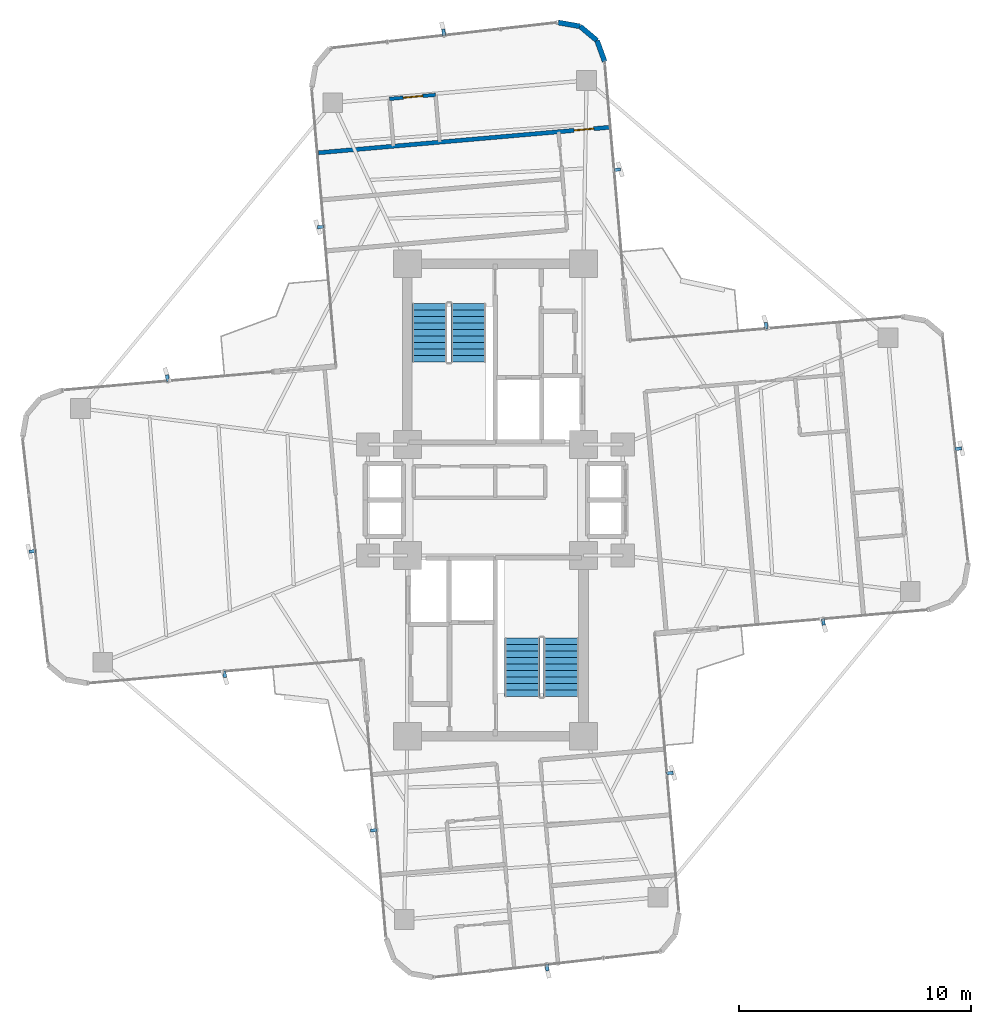
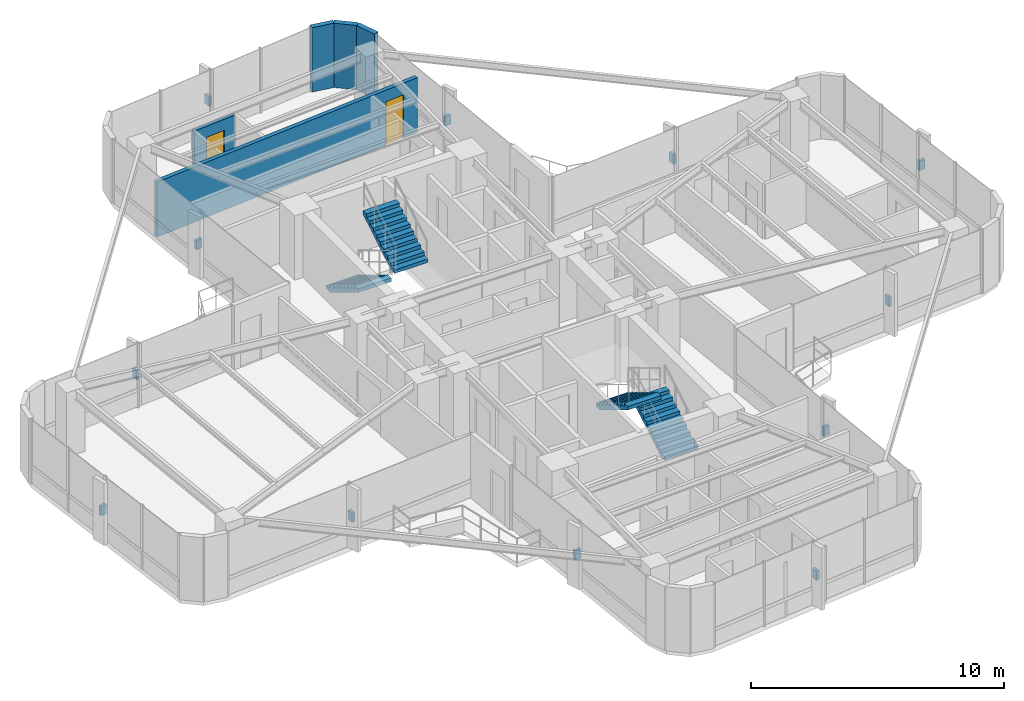
# One storey, part 23 of 24: 12 discrete accessories, 5 walls, 4 stair flights, 2 doors, 2 openings, 2 elements without a shape of their own.
"""IFC4 building model written with IfcOpenShell, lengths in metres."""

from ifc_helpers import new_model, si_unit, direction, frame, frame_2d, origin, origin_2d, place, context, subcontext, project, spatial, polyline, rectangle, outline, extrude, source, transform, mapped, material, layer, layer_set, type_object, element, fill, aggregate, save


model = new_model("IFC4")

# Units and contexts
model_context = context("Model", 3, precision=1e-05, world=origin(), true_north=direction((0.0, 1.0)))
body_context = subcontext(model_context, "Body", "Model", "MODEL_VIEW")
ifc_project = project(units=[si_unit("LENGTHUNIT", "METRE"), si_unit("AREAUNIT", "SQUARE_METRE"), si_unit("VOLUMEUNIT", "CUBIC_METRE"), si_unit("PLANEANGLEUNIT", "RADIAN"), si_unit("MASSUNIT", "GRAM", prefix="KILO")], contexts=[model_context])

# Site, building, storey
site_placement = place(None, origin())
site = spatial("IfcSite", under=ifc_project, at=site_placement, CompositionType="ELEMENT")
building_placement = place(site_placement, origin())
building = spatial("IfcBuilding", under=site, at=building_placement, Name="Sahyath Konkavel Grand Hotel", CompositionType="ELEMENT")
storey_placement = place(building_placement, frame((0.0, 0.0, 175.199951171875)))
storey = spatial("IfcBuildingStorey", under=building, at=storey_placement, Name="L48", CompositionType="ELEMENT", Elevation=175.199951171875)

# Walls
ifc_material_1 = material(Name="Warm Buff Sandstone Insulated Concrete C40/50", Category="masonry")
ifc_layer_1 = layer(ifc_material_1, 0.219970703125)
ifc_layer_set_1 = layer_set([ifc_layer_1], Name="Warm Buff Sandstone Insulated Concrete C40/50")
wall_type_1 = type_object("IfcWallType", Name="WLL-BALC-THRESH", PredefinedType="STANDARD", material=ifc_layer_set_1)
wall_1_placement = place(storey_placement, frame((4.7177734375, 18.93310546875, 0.0), z_axis=(0.0, 0.0, 1.0), x_axis=(-0.34188635151, 0.939741306239, 0.0)))
element("IfcWall", 1, at=wall_1_placement, inside=storey, type_object=wall_type_1, Name="L48 Rounded Corner Sandstone Pier 9", PredefinedType="STANDARD", context=body_context, shape_type="SweptSolid", body=[
    extrude(rectangle(XDim=0.95751953125, YDim=0.219970703125, at=frame_2d((0.478759765625, 0.0))), origin(), (0.0, 0.0, 1.0), 3.110107421875),
])
for number, where, z_axis, x_axis, name in (
    (2, (4.390380859375, 19.8330078125, 0.0), (0.0, 0.0, 1.0), (-0.765980978054, 0.642863236823, 0.0), "L48 Rounded Corner Sandstone Pier 10"),
    (3, (3.65673828125, 20.44873046875, 0.0), (0.0, 0.0, 1.0), (-0.984814340885, 0.173610811841, 0.0), "L48 Rounded Corner Sandstone Pier 11"),
):
    element("IfcWall", number, at=place(storey_placement, frame(where, z_axis=z_axis, x_axis=x_axis)), inside=storey, type_object=wall_type_1, Name=name, PredefinedType="STANDARD", context=body_context, shape_type="SweptSolid", body=[
        extrude(rectangle(XDim=0.957763671875, YDim=0.219970703125, at=frame_2d((0.47900390625, 0.0))), origin(), (0.0, 0.0, 1.0), 3.110107421875),
    ])

# Wall, opening, door
ifc_material_2 = material(Name="Twin-Stud Acoustic Gypsum Plasterboard Partition")
ifc_layer_2 = layer(ifc_material_2, 0.179931640625)
ifc_layer_set_2 = layer_set([ifc_layer_2], Name="Twin-Stud Acoustic Gypsum Plasterboard Partition")
wall_type_2 = type_object("IfcWallType", Name="WLL-DEMISE-180", PredefinedType="PARTITIONING", material=ifc_layer_set_2)
wall_2_placement = place(storey_placement, frame((4.91650390625, 16.089599609375, 0.0), z_axis=(0.0, 0.0, 1.0), x_axis=(-0.996196619285, -0.087133780622, 0.0)))
wall_2 = element("IfcWall", 4, at=wall_2_placement, inside=storey, type_object=wall_type_2, Name="L48 Partition N-NTIP-END", PredefinedType="PARTITIONING", context=body_context, shape_type="SweptSolid", body=[
    extrude(rectangle(XDim=12.60009765625, YDim=0.179931640625, at=frame_2d((6.300048828125, 0.0))), origin(), (0.0, 0.0, 1.0), 2.66015625),
])
opening_1_placement = place(wall_2_placement, frame((0.675048828125, 0.0, 0.0)))
opening_1 = element("IfcOpeningElement", 5, at=opening_1_placement, cuts=wall_2, Name="Opening D-F06D", PredefinedType="OPENING", context=body_context, shape_type="SweptSolid", body=[
    extrude(rectangle(XDim=0.85009765625, YDim=2.10009765625, at=frame_2d((0.425048828125, 1.050048828125))), frame((0.0, 0.10009765625, 0.0), z_axis=(0.0, -1.0, 0.0), x_axis=(1.0, 0.0, 0.0)), (0.0, 0.0, 1.0), 0.199951171875),
])
ifc_material_3 = material(Name="Fire-Rated Shaft Access Door")
door_type_1 = type_object("IfcDoorType", Name="DR-FD60-850", OperationType="NOTDEFINED", PredefinedType="DOOR", material=ifc_material_3)
shared_shape_1 = source(origin(), body_context, "Body", "SweptSolid", [
    extrude(rectangle(XDim=0.85009765625, YDim=0.050048828125, at=origin_2d()), origin(), (0.0, 0.0, 1.0), 2.10009765625),
])
door_1_placement = place(opening_1_placement, frame((0.425048828125, 0.0, 0.0)))
door_1 = element("IfcDoor", 6, at=door_1_placement, inside=storey, type_object=door_type_1, Name="L48 Door N-NTIP-ED", OperationType="SINGLE_SWING_RIGHT", OverallHeight=2.10009765625, OverallWidth=0.85009765625, PredefinedType="DOOR", context=body_context, shape_type="MappedRepresentation", body=[
    mapped(shared_shape_1, transform((0.0, 0.0, 0.0), scale=1.0)),
])
fill(opening_1, door_1)

ifc_material_4 = material(Name="Fire-Rated Gypsum Plasterboard Partition")
ifc_layer_3 = layer(ifc_material_4, 0.14990234375)
ifc_layer_set_3 = layer_set([ifc_layer_3], Name="Fire-Rated Gypsum Plasterboard Partition")
wall_type_3 = type_object("IfcWallType", Name="WLL-PART-150", PredefinedType="PARTITIONING", material=ifc_layer_set_3)
wall_3_placement = place(storey_placement, frame((-2.584228515625, 17.4912109375, 0.0), z_axis=(0.0, 0.0, 1.0), x_axis=(-0.99619464492, -0.087156350505, 0.0)))
wall_3 = element("IfcWall", 7, at=wall_3_placement, inside=storey, type_object=wall_type_3, Name="L48 Partition N-NTIP-BE", PredefinedType="PARTITIONING", context=body_context, shape_type="SweptSolid", body=[
    extrude(rectangle(XDim=2.0, YDim=0.14990234375, at=frame_2d((1.0, 0.0))), origin(), (0.0, 0.0, 1.0), 2.630126953125),
])
opening_2_placement = place(wall_3_placement, frame((0.550048828125, 0.0, 0.0)))
opening_2 = element("IfcOpeningElement", 8, at=opening_2_placement, cuts=wall_3, Name="Opening D-BT85", PredefinedType="OPENING", context=body_context, shape_type="SweptSolid", body=[
    extrude(rectangle(XDim=0.85009765625, YDim=2.10009765625, at=frame_2d((0.425048828125, 1.050048828125))), frame((0.0, 0.0849609375, 0.0), z_axis=(0.0, -1.0, 0.0), x_axis=(1.0, 0.0, 0.0)), (0.0, 0.0, 1.0), 0.169921875),
])
ifc_material_5 = material(Name="Moisture-Resistant Teak Bathroom Door")
door_type_2 = type_object("IfcDoorType", Name="DR-BATH-850", OperationType="NOTDEFINED", PredefinedType="DOOR", material=ifc_material_5)
door_2_placement = place(opening_2_placement, frame((0.425048828125, 0.0, 0.0)))
door_2 = element("IfcDoor", 9, at=door_2_placement, inside=storey, type_object=door_type_2, Name="L48 Door N-NTIP-BD", OperationType="SINGLE_SWING_LEFT", OverallHeight=2.10009765625, OverallWidth=0.85009765625, PredefinedType="DOOR", context=body_context, shape_type="MappedRepresentation", body=[
    mapped(shared_shape_1, transform((0.0, 0.0, 0.0), scale=1.0)),
])
fill(opening_2, door_2)

# Stair, stair flights
ifc_material_6 = material(Name="Concrete C40/50", Category="concrete")
stair_type = type_object("IfcStairType", Name="STR-ST16-335", PredefinedType="HALF_TURN_STAIR", material=ifc_material_6)
stair_1_placement = place(storey_placement, origin())
stair_1 = element("IfcStair", 10, at=stair_1_placement, inside=storey, type_object=stair_type, Name="L48 North Core Smokeproof Exit Stair ST-1", PredefinedType="HALF_TURN_STAIR")
stair_flight_type = type_object("IfcStairFlightType", Name="STF-ST16-335", PredefinedType="STRAIGHT", material=ifc_material_6)
stair_flight_1_placement = place(storey_placement, frame((-2.840087890625, 8.47998046875, 0.0), z_axis=(0.0, 0.0, 1.0), x_axis=(0.0, -1.0, 0.0)))
stair_flight_1 = element("IfcStairFlight", 11, at=stair_flight_1_placement, type_object=stair_flight_type, Name="ST-1 flight 1", NumberOfRisers=10, NumberOfTreads=9, PredefinedType="STRAIGHT", RiserHeight=0.1675, TreadLength=0.28, context=body_context, shape_type="SweptSolid", body=[
    extrude(outline(polyline([(0.0, 0.0), (0.0, 0.16748046875), (0.280029296875, 0.16748046875), (0.280029296875, 0.3349609375), (0.56005859375, 0.3349609375), (0.56005859375, 0.50244140625), (0.840087890625, 0.50244140625), (0.840087890625, 0.669921875), (1.1201171875, 0.669921875), (1.1201171875, 0.83740234375), (1.39990234375, 0.83740234375), (1.39990234375, 1.0048828125), (1.679931640625, 1.0048828125), (1.679931640625, 1.172607421875), (1.9599609375, 1.172607421875), (1.9599609375, 1.340087890625), (2.239990234375, 1.340087890625), (2.239990234375, 1.507568359375), (2.52001953125, 1.507568359375), (2.52001953125, 1.675048828125), (2.52001953125, 1.332763671875), (0.2919921875, 0.0), (0.0, 0.0)])), frame((0.0, 0.760009765625, 0.0), z_axis=(0.0, -1.0, 0.0), x_axis=(1.0, 0.0, 0.0)), (0.0, 0.0, 1.0), 1.52001953125),
])
stair_flight_2_placement = place(storey_placement, frame((-1.159912109375, 5.9599609375, 1.675048828125), z_axis=(0.0, 0.0, 1.0), x_axis=(0.0, 1.0, 0.0)))
stair_flight_2 = element("IfcStairFlight", 12, at=stair_flight_2_placement, type_object=stair_flight_type, Name="ST-1 flight 2", NumberOfRisers=10, NumberOfTreads=9, PredefinedType="STRAIGHT", RiserHeight=0.1675, TreadLength=0.28, context=body_context, shape_type="SweptSolid", body=[
    extrude(outline(polyline([(0.0, 0.0), (0.0, 0.16748046875), (0.280029296875, 0.16748046875), (0.280029296875, 0.3349609375), (0.56005859375, 0.3349609375), (0.56005859375, 0.50244140625), (0.840087890625, 0.50244140625), (0.840087890625, 0.669921875), (1.1201171875, 0.669921875), (1.1201171875, 0.83740234375), (1.39990234375, 0.83740234375), (1.39990234375, 1.0048828125), (1.679931640625, 1.0048828125), (1.679931640625, 1.172607421875), (1.9599609375, 1.172607421875), (1.9599609375, 1.340087890625), (2.239990234375, 1.340087890625), (2.239990234375, 1.507568359375), (2.52001953125, 1.507568359375), (2.52001953125, 1.675048828125), (2.52001953125, 1.332763671875), (0.2919921875, 0.0), (0.0, 0.0)])), frame((0.0, 0.760009765625, 0.0), z_axis=(0.0, -1.0, 0.0), x_axis=(1.0, 0.0, 0.0)), (0.0, 0.0, 1.0), 1.52001953125),
])
aggregate(stair_1, [stair_flight_1, stair_flight_2])

stair_2_placement = place(storey_placement, origin())
stair_2 = element("IfcStair", 13, at=stair_2_placement, inside=storey, type_object=stair_type, Name="L48 South Core Smokeproof Exit Stair ST-2", PredefinedType="HALF_TURN_STAIR")
stair_flight_3_placement = place(storey_placement, frame((2.840087890625, -8.47998046875, 0.0), z_axis=(0.0, 0.0, 1.0), x_axis=(0.0, 1.0, 0.0)))
stair_flight_3 = element("IfcStairFlight", 14, at=stair_flight_3_placement, type_object=stair_flight_type, Name="ST-2 flight 1", NumberOfRisers=10, NumberOfTreads=9, PredefinedType="STRAIGHT", RiserHeight=0.1675, TreadLength=0.28, context=body_context, shape_type="SweptSolid", body=[
    extrude(outline(polyline([(0.0, 0.0), (0.0, 0.16748046875), (0.280029296875, 0.16748046875), (0.280029296875, 0.3349609375), (0.56005859375, 0.3349609375), (0.56005859375, 0.50244140625), (0.840087890625, 0.50244140625), (0.840087890625, 0.669921875), (1.1201171875, 0.669921875), (1.1201171875, 0.83740234375), (1.39990234375, 0.83740234375), (1.39990234375, 1.0048828125), (1.679931640625, 1.0048828125), (1.679931640625, 1.172607421875), (1.9599609375, 1.172607421875), (1.9599609375, 1.340087890625), (2.239990234375, 1.340087890625), (2.239990234375, 1.507568359375), (2.52001953125, 1.507568359375), (2.52001953125, 1.675048828125), (2.52001953125, 1.332763671875), (0.2919921875, 0.0), (0.0, 0.0)])), frame((0.0, 0.760009765625, 0.0), z_axis=(0.0, -1.0, 0.0), x_axis=(1.0, 0.0, 0.0)), (0.0, 0.0, 1.0), 1.52001953125),
])
stair_flight_4_placement = place(storey_placement, frame((1.159912109375, -5.9599609375, 1.675048828125), z_axis=(0.0, 0.0, 1.0), x_axis=(0.0, -1.0, 0.0)))
stair_flight_4 = element("IfcStairFlight", 15, at=stair_flight_4_placement, type_object=stair_flight_type, Name="ST-2 flight 2", NumberOfRisers=10, NumberOfTreads=9, PredefinedType="STRAIGHT", RiserHeight=0.1675, TreadLength=0.28, context=body_context, shape_type="SweptSolid", body=[
    extrude(outline(polyline([(0.0, 0.0), (0.0, 0.16748046875), (0.280029296875, 0.16748046875), (0.280029296875, 0.3349609375), (0.56005859375, 0.3349609375), (0.56005859375, 0.50244140625), (0.840087890625, 0.50244140625), (0.840087890625, 0.669921875), (1.1201171875, 0.669921875), (1.1201171875, 0.83740234375), (1.39990234375, 0.83740234375), (1.39990234375, 1.0048828125), (1.679931640625, 1.0048828125), (1.679931640625, 1.172607421875), (1.9599609375, 1.172607421875), (1.9599609375, 1.340087890625), (2.239990234375, 1.340087890625), (2.239990234375, 1.507568359375), (2.52001953125, 1.507568359375), (2.52001953125, 1.675048828125), (2.52001953125, 1.332763671875), (0.2919921875, 0.0), (0.0, 0.0)])), frame((0.0, 0.760009765625, 0.0), z_axis=(0.0, -1.0, 0.0), x_axis=(1.0, 0.0, 0.0)), (0.0, 0.0, 1.0), 1.52001953125),
])
aggregate(stair_2, [stair_flight_3, stair_flight_4])

# Discrete accessories
ifc_material_7 = material(Name="Steel E350", Category="steel")
discrete_accessory_type = type_object("IfcDiscreteAccessoryType", Name="ACC-FIN-BRACKET", PredefinedType="BRACKET", material=ifc_material_7)
shared_shape_2 = source(origin(), body_context, "Body", "SweptSolid", [
    extrude(rectangle(XDim=0.280029296875, YDim=0.139892578125, at=origin_2d()), origin(), (0.0, 0.0, 1.0), 0.449951171875),
])
for number, where, z_axis, x_axis, name in (
    (16, (14.162841796875, -5.265625, 1.330078125), (0.0, 0.0, 1.0), (0.087155742748, -0.996194698092, 0.0), "L48 Fin Support Bracket F0-1"),
    (17, (19.989013671875, 2.21630859375, 1.330078125), (0.0, 0.0, 1.0), (0.993709417943, 0.111989252568, 0.0), "L48 Fin Support Bracket F4-2"),
    (18, (11.6884765625, 7.52734375, 1.330078125), (0.0, 0.0, 1.0), (-0.087155742748, 0.996194698092, 0.0), "L48 Fin Support Bracket F7-1"),
    (19, (5.2568359375, 14.262451171875, 1.330078125), (0.0, 0.0, 1.0), (0.996194698092, 0.087155742748, 0.0), "L48 Fin Support Bracket F8-1"),
    (20, (-2.23388671875, 20.188232421875, 1.330078125), (0.0, 0.0, 1.0), (-0.112006596052, 0.993707463211, 0.0), "L48 Fin Support Bracket F12-2"),
    (21, (-7.5361328125, 11.7880859375, 1.330078125), (0.0, 0.0, 1.0), (-0.996194698092, -0.087155742748, 0.0), "L48 Fin Support Bracket F15-1"),
    (22, (-14.162841796875, 5.265625, 1.330078125), (0.0, 0.0, 1.0), (-0.087155742748, 0.996194698092, 0.0), "L48 Fin Support Bracket F16-1"),
    (23, (-19.989013671875, -2.21630859375, 1.330078125), (0.0, 0.0, 1.0), (-0.993709417943, -0.111989252568, 0.0), "L48 Fin Support Bracket F20-2"),
    (24, (-11.6884765625, -7.52734375, 1.330078125), (0.0, 0.0, 1.0), (0.087155742748, -0.996194698092, 0.0), "L48 Fin Support Bracket F23-1"),
    (25, (-5.2568359375, -14.262451171875, 1.330078125), (0.0, 0.0, 1.0), (-0.996194698092, -0.087155742748, 0.0), "L48 Fin Support Bracket F24-1"),
    (26, (2.23388671875, -20.188232421875, 1.330078125), (0.0, 0.0, 1.0), (0.112006596052, -0.993707463211, 0.0), "L48 Fin Support Bracket F28-2"),
    (27, (7.5361328125, -11.7880859375, 1.330078125), (0.0, 0.0, 1.0), (0.996194698092, 0.087155742748, 0.0), "L48 Fin Support Bracket F31-1"),
):
    element("IfcDiscreteAccessory", number, at=place(storey_placement, frame(where, z_axis=z_axis, x_axis=x_axis)), inside=storey, type_object=discrete_accessory_type, Name=name, PredefinedType="BRACKET", context=body_context, shape_type="MappedRepresentation", body=[
        mapped(shared_shape_2, transform((0.0, 0.0, 0.0), scale=1.0)),
    ])

save(model, "model.ifc")
